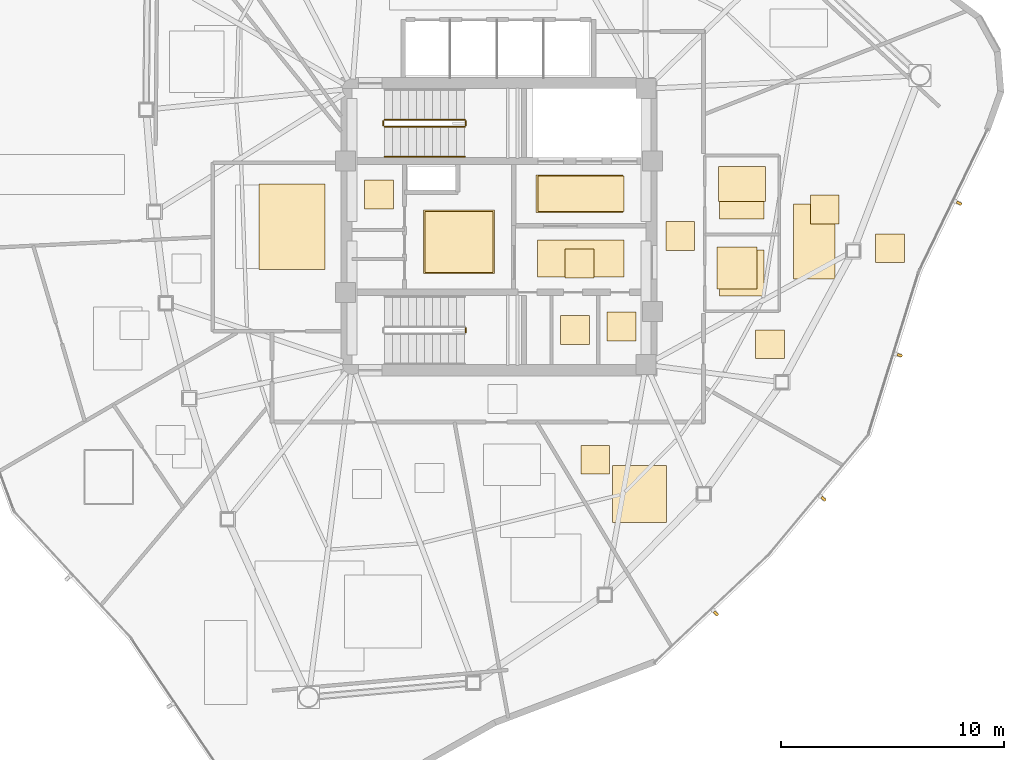
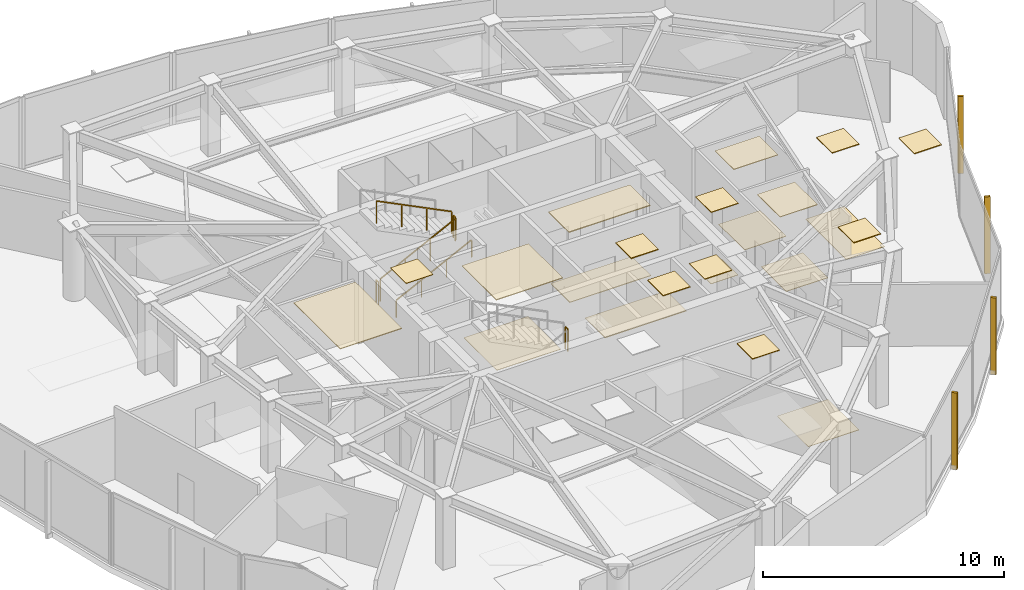
# One storey, part 12 of 13: 22 coverings, 6 railings, 4 shading devices.
"""IFC4 building model written with IfcOpenShell, lengths in metres."""

from ifc_helpers import new_model, si_unit, direction, frame, origin, origin_2d, place, context, subcontext, project, spatial, polyline, rectangle, outline, extrude, source, transform, mapped, material, layer, layer_set, type_object, type_shapes, element, save


model = new_model("IFC4")

# Units and contexts
model_context = context("Model", 3, precision=1e-05, world=origin(), true_north=direction((0.0, 1.0)))
body_context = subcontext(model_context, "Body", "Model", "MODEL_VIEW")
ifc_project = project(units=[si_unit("LENGTHUNIT", "METRE"), si_unit("AREAUNIT", "SQUARE_METRE"), si_unit("VOLUMEUNIT", "CUBIC_METRE"), si_unit("PLANEANGLEUNIT", "RADIAN"), si_unit("MASSUNIT", "GRAM", prefix="KILO")], contexts=[model_context])

# Site, building, storey
site_placement = place(None, origin())
site = spatial("IfcSite", under=ifc_project, at=site_placement, CompositionType="ELEMENT")
building_placement = place(site_placement, origin())
building = spatial("IfcBuilding", under=site, at=building_placement, Name="Tavelor Broadcast Tower", CompositionType="ELEMENT")
storey_placement = place(building_placement, frame((0.0, 0.0, 237.949951171875)))
storey = spatial("IfcBuildingStorey", under=building, at=storey_placement, Name="L56", CompositionType="ELEMENT", Elevation=237.949951171875)

# Coverings
ifc_material_1 = material(Name="Copper-Bronze Anodized Aluminium", Category="aluminium")
ifc_layer_1 = layer(ifc_material_1, 0.044921875)
ifc_layer_set_1 = layer_set([ifc_layer_1], Name="Copper-Bronze Anodized Aluminium")
covering_type_1 = type_object("IfcCoveringType", Name="Anodised Bronze Linear Slatted Concourse Ceiling 45 mm", PredefinedType="CEILING", material=ifc_layer_set_1)
covering_1_placement = place(storey_placement, frame((0.0, 0.0, 3.60498046875)))
element("IfcCovering", 1, at=covering_1_placement, inside=storey, type_object=covering_type_1, Name="L56 Suspended Acoustic Ceiling 2203", PredefinedType="CEILING", context=body_context, shape_type="SweptSolid", body=[
    extrude(outline(polyline([(51.659912109375, 45.6318359375), (55.55712890625, 45.6318359375), (55.55712890625, 47.328125), (51.659912109375, 47.328125), (51.659912109375, 45.6318359375)])), origin(), (0.0, 0.0, 1.0), 0.045166015625),
])
covering_2_placement = place(storey_placement, frame((0.0, 0.0, 3.60498046875)))
element("IfcCovering", 2, at=covering_2_placement, inside=storey, type_object=covering_type_1, Name="L56 Suspended Acoustic Ceiling 2204", PredefinedType="CEILING", context=body_context, shape_type="SweptSolid", body=[
    extrude(outline(polyline([(52.95361328125, 42.705078125), (54.25341796875, 42.705078125), (54.25341796875, 44.0048828125), (52.95361328125, 44.0048828125), (52.95361328125, 42.705078125)])), origin(), (0.0, 0.0, 1.0), 0.045166015625),
])

# Railing
ifc_material_2 = material(Name="Steel S355", Category="steel")
railing_type_1 = type_object("IfcRailingType", Name="Continuous Brushed Stainless Handrail 900 mm", PredefinedType="HANDRAIL", material=ifc_material_2)
railing_1_placement = place(storey_placement, frame((44.85009765625, 48.14990234375, 0.1796875)))
element("IfcRailing", 3, at=railing_1_placement, inside=storey, type_object=railing_type_1, Name="L56 ST1 stair handrail 1", PredefinedType="HANDRAIL", context=body_context, shape_type="SweptSolid", body=[
    extrude(rectangle(XDim=0.048095703125, YDim=0.048095703125, at=origin_2d()), frame((0.0, 0.0, 0.8759765625), z_axis=(0.894875846893, 0.0, 0.446315156192), x_axis=(0.0, 1.0, 0.0)), (0.0, 0.0, 1.0), 4.022705078125),
    extrude(rectangle(XDim=0.0419921875, YDim=0.0419921875, at=origin_2d()), origin(), (0.0, 0.0, 1.0), 0.851806640625),
    extrude(rectangle(XDim=0.0419921875, YDim=0.0419921875, at=origin_2d()), frame((1.199951171875, 0.0, 0.598388671875)), (0.0, 0.0, 1.0), 0.851806640625),
    extrude(rectangle(XDim=0.0419921875, YDim=0.0419921875, at=origin_2d()), frame((2.39990234375, 0.0, 1.197021484375)), (0.0, 0.0, 1.0), 0.851806640625),
    extrude(rectangle(XDim=0.0419921875, YDim=0.0419921875, at=origin_2d()), frame((3.599853515625, 0.0, 1.79541015625)), (0.0, 0.0, 1.0), 0.851806640625),
])

# Coverings
ifc_material_3 = material(Name="Architectural Anodized Aluminium", Category="aluminium")
ifc_layer_2 = layer(ifc_material_3, 0.034912109375)
ifc_layer_set_2 = layer_set([ifc_layer_2], Name="Architectural Anodized Aluminium")
covering_type_2 = type_object("IfcCoveringType", Name="Demountable Metal Tile Corridor Ceiling 35 mm", PredefinedType="CEILING", material=ifc_layer_set_2)
covering_3_placement = place(storey_placement, frame((0.0, 0.0, 3.614990234375)))
element("IfcCovering", 4, at=covering_3_placement, inside=storey, type_object=covering_type_2, Name="L56 Suspended Acoustic Ceiling 2209", PredefinedType="CEILING", context=body_context, shape_type="SweptSolid", body=[
    extrude(outline(polyline([(57.489990234375, 43.925048828125), (58.7900390625, 43.925048828125), (58.7900390625, 45.22509765625), (57.489990234375, 45.22509765625), (57.489990234375, 43.925048828125)])), origin(), (0.0, 0.0, 1.0), 0.03515625),
])
ifc_material_4 = material(Name="Acoustic Nylon Carpet Tile")
ifc_layer_3 = layer(ifc_material_4, 0.02001953125)
ifc_layer_set_3 = layer_set([ifc_layer_3], Name="Acoustic Nylon Carpet Tile")
covering_type_3 = type_object("IfcCoveringType", Name="Heavy-Duty Acoustic Broadcast Carpet Tile 20 mm", PredefinedType="FLOORING", material=ifc_layer_set_3)
covering_4_placement = place(storey_placement, origin())
element("IfcCovering", 5, at=covering_4_placement, inside=storey, type_object=covering_type_3, Name="L56 Broadcast Floor Finish 0820", PredefinedType="FLOORING", context=body_context, shape_type="SweptSolid", body=[
    extrude(outline(polyline([(46.6591796875, 42.953369140625), (49.730712890625, 42.953369140625), (49.730712890625, 45.6865234375), (46.6591796875, 45.6865234375), (46.6591796875, 42.953369140625)])), origin(), (0.0, 0.0, 1.0), 0.02001953125),
])
covering_5_placement = place(storey_placement, origin())
element("IfcCovering", 6, at=covering_5_placement, inside=storey, type_object=covering_type_3, Name="L56 Broadcast Floor Finish 0821", PredefinedType="FLOORING", context=body_context, shape_type="SweptSolid", body=[
    extrude(outline(polyline([(57.489990234375, 43.925048828125), (58.7900390625, 43.925048828125), (58.7900390625, 45.22509765625), (57.489990234375, 45.22509765625), (57.489990234375, 43.925048828125)])), origin(), (0.0, 0.0, 1.0), 0.02001953125),
])
covering_6_placement = place(storey_placement, origin())
element("IfcCovering", 7, at=covering_6_placement, inside=storey, type_object=covering_type_3, Name="L56 Broadcast Floor Finish 0825", PredefinedType="FLOORING", context=body_context, shape_type="SweptSolid", body=[
    extrude(outline(polyline([(55.085205078125, 31.7099609375), (57.51806640625, 31.7099609375), (57.51806640625, 34.269775390625), (55.085205078125, 34.269775390625), (55.085205078125, 31.7099609375)])), origin(), (0.0, 0.0, 1.0), 0.02001953125),
])
covering_7_placement = place(storey_placement, origin())
element("IfcCovering", 8, at=covering_7_placement, inside=storey, type_object=covering_type_3, Name="L56 Broadcast Floor Finish 0831", PredefinedType="FLOORING", context=body_context, shape_type="SweptSolid", body=[
    extrude(outline(polyline([(63.22509765625, 42.65576171875), (65.084228515625, 42.65576171875), (65.084228515625, 46.01904296875), (63.22509765625, 46.01904296875), (63.22509765625, 42.65576171875)])), origin(), (0.0, 0.0, 1.0), 0.02001953125),
])
ifc_material_5 = material(Name="Honed Natural Limestone Tile", Category="masonry")
ifc_layer_4 = layer(ifc_material_5, 0.030029296875)
ifc_layer_set_4 = layer_set([ifc_layer_4], Name="Honed Natural Limestone Tile")
covering_type_4 = type_object("IfcCoveringType", Name="Honed Jerusalem Limestone Concourse Flooring 30 mm", PredefinedType="FLOORING", material=ifc_layer_set_4)
covering_8_placement = place(storey_placement, origin())
element("IfcCovering", 9, at=covering_8_placement, inside=storey, type_object=covering_type_4, Name="L56 Broadcast Floor Finish 0818", PredefinedType="FLOORING", context=body_context, shape_type="SweptSolid", body=[
    extrude(outline(polyline([(51.7373046875, 45.689453125), (55.62255859375, 45.689453125), (55.62255859375, 47.2705078125), (51.7373046875, 47.2705078125), (51.7373046875, 45.689453125)])), origin(), (0.0, 0.0, 1.0), 0.030029296875),
])
covering_9_placement = place(storey_placement, origin())
element("IfcCovering", 10, at=covering_9_placement, inside=storey, type_object=covering_type_4, Name="L56 Broadcast Floor Finish 0819", PredefinedType="FLOORING", context=body_context, shape_type="SweptSolid", body=[
    extrude(outline(polyline([(51.728759765625, 42.743408203125), (55.62109375, 42.743408203125), (55.62109375, 44.396484375), (51.728759765625, 44.396484375), (51.728759765625, 42.743408203125)])), origin(), (0.0, 0.0, 1.0), 0.030029296875),
])
ifc_layer_5 = layer(ifc_material_3, 0.030029296875)
ifc_layer_set_5 = layer_set([ifc_layer_5], Name="Architectural Anodized Aluminium")
covering_type_5 = type_object("IfcCoveringType", Name="Moisture-Resistant Washroom Ceiling 30 mm", PredefinedType="CEILING", material=ifc_layer_set_5)
covering_10_placement = place(storey_placement, frame((0.0, 0.0, 3.6201171875)))
element("IfcCovering", 11, at=covering_10_placement, inside=storey, type_object=covering_type_5, Name="L56 Suspended Acoustic Ceiling 2207", PredefinedType="CEILING", context=body_context, shape_type="SweptSolid", body=[
    extrude(outline(polyline([(54.843505859375, 39.866455078125), (56.1435546875, 39.866455078125), (56.1435546875, 41.16650390625), (54.843505859375, 41.16650390625), (54.843505859375, 39.866455078125)])), origin(), (0.0, 0.0, 1.0), 0.030029296875),
])
covering_11_placement = place(storey_placement, frame((0.0, 0.0, 3.6201171875)))
element("IfcCovering", 12, at=covering_11_placement, inside=storey, type_object=covering_type_5, Name="L56 Suspended Acoustic Ceiling 2208", PredefinedType="CEILING", context=body_context, shape_type="SweptSolid", body=[
    extrude(outline(polyline([(43.951416015625, 45.794921875), (45.25146484375, 45.794921875), (45.25146484375, 47.094970703125), (43.951416015625, 47.094970703125), (43.951416015625, 45.794921875)])), origin(), (0.0, 0.0, 1.0), 0.030029296875),
])
covering_12_placement = place(storey_placement, frame((0.0, 0.0, 3.6201171875)))
element("IfcCovering", 13, at=covering_12_placement, inside=storey, type_object=covering_type_5, Name="L56 Suspended Acoustic Ceiling 2212", PredefinedType="CEILING", context=body_context, shape_type="SweptSolid", body=[
    extrude(outline(polyline([(59.79150390625, 42.2001953125), (61.589599609375, 42.2001953125), (61.589599609375, 44.08203125), (59.79150390625, 44.08203125), (59.79150390625, 42.2001953125)])), origin(), (0.0, 0.0, 1.0), 0.030029296875),
])
covering_13_placement = place(storey_placement, frame((0.0, 0.0, 3.6201171875)))
element("IfcCovering", 14, at=covering_13_placement, inside=storey, type_object=covering_type_5, Name="L56 Suspended Acoustic Ceiling 2213", PredefinedType="CEILING", context=body_context, shape_type="SweptSolid", body=[
    extrude(outline(polyline([(59.85302734375, 46.13623046875), (61.967041015625, 46.13623046875), (61.967041015625, 47.69482421875), (59.85302734375, 47.69482421875), (59.85302734375, 46.13623046875)])), origin(), (0.0, 0.0, 1.0), 0.030029296875),
])
ifc_material_6 = material(Name="Slip-Resistant Porcelain Tile")
ifc_layer_6 = layer(ifc_material_6, 0.02490234375)
ifc_layer_set_6 = layer_set([ifc_layer_6], Name="Slip-Resistant Porcelain Tile")
covering_type_6 = type_object("IfcCoveringType", Name="Slip-Resistant Porcelain Wet-Area Floor Tile 25 mm", PredefinedType="FLOORING", material=ifc_layer_set_6)
covering_14_placement = place(storey_placement, origin())
element("IfcCovering", 15, at=covering_14_placement, inside=storey, type_object=covering_type_6, Name="L56 Broadcast Floor Finish 0823", PredefinedType="FLOORING", context=body_context, shape_type="SweptSolid", body=[
    extrude(outline(polyline([(59.91064453125, 41.885986328125), (61.909423828125, 41.885986328125), (61.909423828125, 43.964111328125), (59.91064453125, 43.964111328125), (59.91064453125, 41.885986328125)])), origin(), (0.0, 0.0, 1.0), 0.025146484375),
])
covering_15_placement = place(storey_placement, origin())
element("IfcCovering", 16, at=covering_15_placement, inside=storey, type_object=covering_type_6, Name="L56 Broadcast Floor Finish 0824", PredefinedType="FLOORING", context=body_context, shape_type="SweptSolid", body=[
    extrude(outline(polyline([(59.91064453125, 45.35009765625), (61.909423828125, 45.35009765625), (61.909423828125, 47.5), (59.91064453125, 47.5), (59.91064453125, 45.35009765625)])), origin(), (0.0, 0.0, 1.0), 0.025146484375),
])

# Railings
railing_type_2 = type_object("IfcRailingType", Name="Stairwell Steel Safety Guardrail 1150 mm", PredefinedType="GUARDRAIL", material=ifc_material_2)
railing_2_placement = place(storey_placement, frame((44.85009765625, 49.5, 0.1796875)))
element("IfcRailing", 17, at=railing_2_placement, inside=storey, type_object=railing_type_2, Name="L56 ST1 stair guard 1", PredefinedType="GUARDRAIL", context=body_context, shape_type="SweptSolid", body=[
    extrude(rectangle(XDim=0.048095703125, YDim=0.048095703125, at=origin_2d()), frame((0.0, 0.0, 1.1259765625), z_axis=(0.894875846893, 0.0, 0.446315156192), x_axis=(0.0, 1.0, 0.0)), (0.0, 0.0, 1.0), 4.022705078125),
    extrude(rectangle(XDim=0.0419921875, YDim=0.0419921875, at=origin_2d()), origin(), (0.0, 0.0, 1.0), 1.101806640625),
    extrude(rectangle(XDim=0.0419921875, YDim=0.0419921875, at=origin_2d()), frame((1.199951171875, 0.0, 0.598388671875)), (0.0, 0.0, 1.0), 1.101806640625),
    extrude(rectangle(XDim=0.0419921875, YDim=0.0419921875, at=origin_2d()), frame((2.39990234375, 0.0, 1.197021484375)), (0.0, 0.0, 1.0), 1.101806640625),
    extrude(rectangle(XDim=0.0419921875, YDim=0.0419921875, at=origin_2d()), frame((3.599853515625, 0.0, 1.79541015625)), (0.0, 0.0, 1.0), 1.101806640625),
])
railing_3_placement = place(storey_placement, frame((48.5, 49.550048828125, 1.97509765625)))
element("IfcRailing", 18, at=railing_3_placement, inside=storey, type_object=railing_type_2, Name="L56 ST1 stair guard 2", PredefinedType="GUARDRAIL", context=body_context, shape_type="SweptSolid", body=[
    extrude(rectangle(XDim=0.048095703125, YDim=0.048095703125, at=origin_2d()), frame((0.0, 0.0, 1.1259765625), z_axis=(0.0, 1.0, 0.0), x_axis=(-1.0, 0.0, 0.0)), (0.0, 0.0, 1.0), 0.199951171875),
    extrude(rectangle(XDim=0.0419921875, YDim=0.0419921875, at=origin_2d()), origin(), (0.0, 0.0, 1.0), 1.101806640625),
    extrude(rectangle(XDim=0.0419921875, YDim=0.0419921875, at=origin_2d()), frame((0.0, 0.199951171875, 0.0)), (0.0, 0.0, 1.0), 1.101806640625),
])
railing_4_placement = place(storey_placement, frame((48.449951171875, 49.800048828125, 2.154541015625)))
element("IfcRailing", 19, at=railing_4_placement, inside=storey, type_object=railing_type_2, Name="L56 ST1 stair guard 3", PredefinedType="GUARDRAIL", context=body_context, shape_type="SweptSolid", body=[
    extrude(rectangle(XDim=0.048095703125, YDim=0.048095703125, at=origin_2d()), frame((0.0, 0.0, 1.1259765625), z_axis=(-0.894875846893, 0.0, 0.446315156192), x_axis=(0.0, -1.0, 0.0)), (0.0, 0.0, 1.0), 4.022705078125),
    extrude(rectangle(XDim=0.0419921875, YDim=0.0419921875, at=origin_2d()), origin(), (0.0, 0.0, 1.0), 1.101806640625),
    extrude(rectangle(XDim=0.0419921875, YDim=0.0419921875, at=origin_2d()), frame((-1.199951171875, 0.0, 0.598388671875)), (0.0, 0.0, 1.0), 1.101806640625),
    extrude(rectangle(XDim=0.0419921875, YDim=0.0419921875, at=origin_2d()), frame((-2.39990234375, 0.0, 1.197021484375)), (0.0, 0.0, 1.0), 1.101806640625),
    extrude(rectangle(XDim=0.0419921875, YDim=0.0419921875, at=origin_2d()), frame((-3.599853515625, 0.0, 1.79541015625)), (0.0, 0.0, 1.0), 1.101806640625),
])
for number, where, name in (
    (20, (44.800048828125, 49.550048828125, 0.0), "L56 ST1 stair guard 4"),
    (21, (48.5, 40.25, 1.97509765625), "L56 ST2 stair guard 2"),
):
    element("IfcRailing", number, at=place(storey_placement, frame(where)), inside=storey, type_object=railing_type_2, Name=name, PredefinedType="GUARDRAIL", context=body_context, shape_type="SweptSolid", body=[
        extrude(rectangle(XDim=0.048095703125, YDim=0.048095703125, at=origin_2d()), frame((0.0, 0.0, 1.1259765625), z_axis=(0.0, 1.0, 0.0), x_axis=(-1.0, 0.0, 0.0)), (0.0, 0.0, 1.0), 0.199951171875),
        extrude(rectangle(XDim=0.0419921875, YDim=0.0419921875, at=origin_2d()), origin(), (0.0, 0.0, 1.0), 1.101806640625),
        extrude(rectangle(XDim=0.0419921875, YDim=0.0419921875, at=origin_2d()), frame((0.0, 0.199951171875, 0.0)), (0.0, 0.0, 1.0), 1.101806640625),
    ])

# Coverings
ifc_material_7 = material(Name="Acoustic Mineral Fibre Tile")
ifc_layer_7 = layer(ifc_material_7, 0.0400390625)
ifc_layer_set_7 = layer_set([ifc_layer_7], Name="Acoustic Mineral Fibre Tile")
covering_type_7 = type_object("IfcCoveringType", Name="Suspended Acoustic Mineral-Fibre Office Ceiling 40 mm", PredefinedType="CEILING", material=ifc_layer_set_7)
covering_16_placement = place(storey_placement, frame((0.0, 0.0, 3.610107421875)))
element("IfcCovering", 22, at=covering_16_placement, inside=storey, type_object=covering_type_7, Name="L56 Suspended Acoustic Ceiling 2205", PredefinedType="CEILING", context=body_context, shape_type="SweptSolid", body=[
    extrude(outline(polyline([(46.6015625, 42.895751953125), (49.788330078125, 42.895751953125), (49.788330078125, 45.744140625), (46.6015625, 45.744140625), (46.6015625, 42.895751953125)])), origin(), (0.0, 0.0, 1.0), 0.0400390625),
])
covering_17_placement = place(storey_placement, frame((0.0, 0.0, 3.610107421875)))
element("IfcCovering", 23, at=covering_17_placement, inside=storey, type_object=covering_type_7, Name="L56 Suspended Acoustic Ceiling 2206", PredefinedType="CEILING", context=body_context, shape_type="SweptSolid", body=[
    extrude(outline(polyline([(52.75, 39.699951171875), (54.050048828125, 39.699951171875), (54.050048828125, 41.0), (52.75, 41.0), (52.75, 39.699951171875)])), origin(), (0.0, 0.0, 1.0), 0.0400390625),
])
covering_18_placement = place(storey_placement, frame((0.0, 0.0, 3.610107421875)))
element("IfcCovering", 24, at=covering_18_placement, inside=storey, type_object=covering_type_7, Name="L56 Suspended Acoustic Ceiling 2211", PredefinedType="CEILING", context=body_context, shape_type="SweptSolid", body=[
    extrude(outline(polyline([(39.2216796875, 43.0712890625), (42.182373046875, 43.0712890625), (42.182373046875, 46.927978515625), (39.2216796875, 46.927978515625), (39.2216796875, 43.0712890625)])), origin(), (0.0, 0.0, 1.0), 0.0400390625),
])
covering_19_placement = place(storey_placement, frame((0.0, 0.0, 3.610107421875)))
element("IfcCovering", 25, at=covering_19_placement, inside=storey, type_object=covering_type_7, Name="L56 Suspended Acoustic Ceiling 2214", PredefinedType="CEILING", context=body_context, shape_type="SweptSolid", body=[
    extrude(outline(polyline([(53.669677734375, 33.87744140625), (54.9697265625, 33.87744140625), (54.9697265625, 35.177490234375), (53.669677734375, 35.177490234375), (53.669677734375, 33.87744140625)])), origin(), (0.0, 0.0, 1.0), 0.0400390625),
])
covering_20_placement = place(storey_placement, frame((0.0, 0.0, 3.610107421875)))
element("IfcCovering", 26, at=covering_20_placement, inside=storey, type_object=covering_type_7, Name="L56 Suspended Acoustic Ceiling 2232", PredefinedType="CEILING", context=body_context, shape_type="SweptSolid", body=[
    extrude(outline(polyline([(61.518798828125, 39.069580078125), (62.81884765625, 39.069580078125), (62.81884765625, 40.369384765625), (61.518798828125, 40.369384765625), (61.518798828125, 39.069580078125)])), origin(), (0.0, 0.0, 1.0), 0.0400390625),
])
covering_21_placement = place(storey_placement, frame((0.0, 0.0, 3.610107421875)))
element("IfcCovering", 27, at=covering_21_placement, inside=storey, type_object=covering_type_7, Name="L56 Suspended Acoustic Ceiling 2233", PredefinedType="CEILING", context=body_context, shape_type="SweptSolid", body=[
    extrude(outline(polyline([(63.98291015625, 45.1328125), (65.28271484375, 45.1328125), (65.28271484375, 46.4326171875), (63.98291015625, 46.4326171875), (63.98291015625, 45.1328125)])), origin(), (0.0, 0.0, 1.0), 0.0400390625),
])
covering_22_placement = place(storey_placement, frame((0.0, 0.0, 3.610107421875)))
element("IfcCovering", 28, at=covering_22_placement, inside=storey, type_object=covering_type_7, Name="L56 Suspended Acoustic Ceiling 2234", PredefinedType="CEILING", context=body_context, shape_type="SweptSolid", body=[
    extrude(outline(polyline([(66.916259765625, 43.3828125), (68.21630859375, 43.3828125), (68.21630859375, 44.6826171875), (66.916259765625, 44.6826171875), (66.916259765625, 43.3828125)])), origin(), (0.0, 0.0, 1.0), 0.0400390625),
])

# Shading devices
ifc_material_8 = material(Name="Kiln-Fired Glazed Terracotta", Category="masonry")
shading_device_type = type_object("IfcShadingDeviceType", Name="Extruded Terracotta Baguette Sun-Screen 110x240", PredefinedType="JALOUSIE", material=ifc_material_8)
shared_shape = source(origin(), body_context, "Body", "SweptSolid", [
    extrude(rectangle(XDim=0.110107421875, YDim=0.239990234375, at=origin_2d()), origin(), (0.0, 0.0, 1.0), 3.889892578125),
])
type_shapes(shading_device_type, [shared_shape])
for number, where, z_axis, x_axis, name in (
    (29, (59.744140625, 27.628173828125, -0.259765625), (0.0, 0.0, 1.0), (0.727533317557, 0.686072351756, 0.0), "L56 Terracotta Baguette Fin 581"),
    (30, (64.575439453125, 32.77294921875, -0.259765625), (0.0, 0.0, 1.0), (0.639036349704, 0.769176536145, 0.0), "L56 Terracotta Baguette Fin 582"),
    (31, (68.00146484375, 39.222412109375, -0.259765625), (0.0, 0.0, 1.0), (0.296374888035, 0.95507168618, 0.0), "L56 Terracotta Baguette Fin 583"),
    (32, (70.67138671875, 46.056640625, -0.259765625), (0.0, 0.0, 1.0), (0.435545343388, 0.900166792241, 0.0), "L56 Terracotta Baguette Fin 584"),
):
    element("IfcShadingDevice", number, at=place(storey_placement, frame(where, z_axis=z_axis, x_axis=x_axis)), inside=storey, type_object=shading_device_type, Name=name, PredefinedType="JALOUSIE", context=body_context, shape_type="MappedRepresentation", body=[
        mapped(shared_shape, transform((0.0, 0.0, 0.0), scale=1.0)),
    ])

save(model, "model.ifc")
